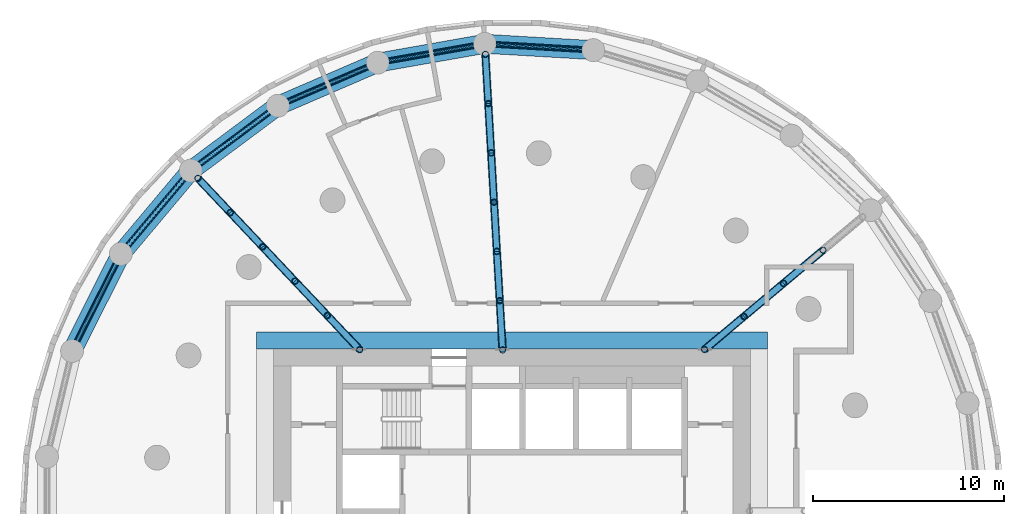
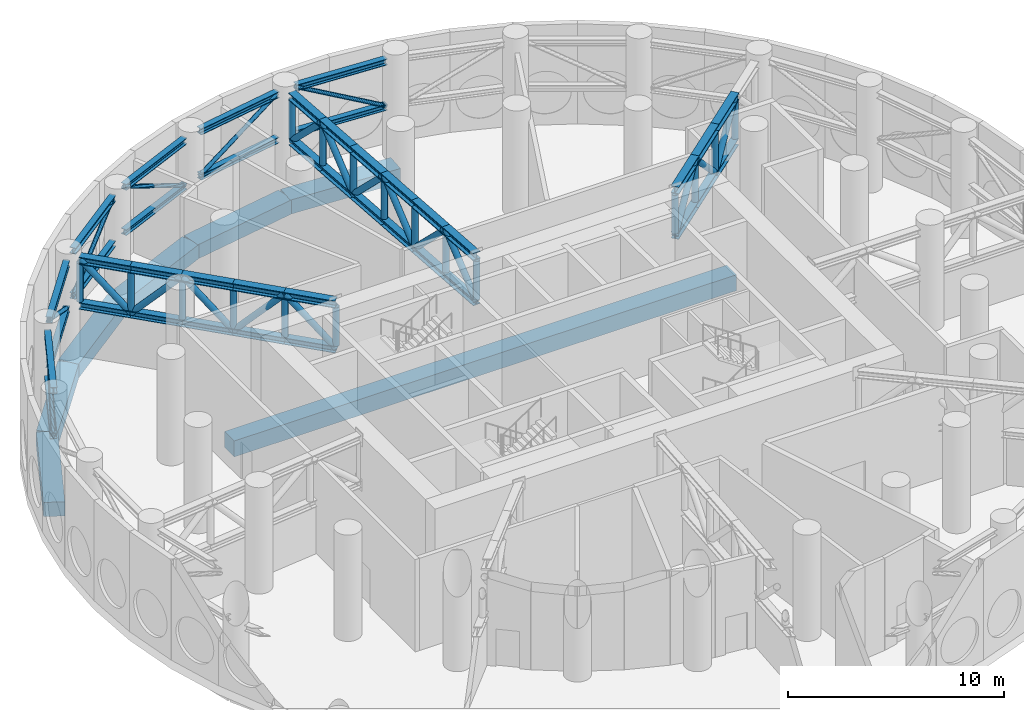
# One storey, part 5 of 15: 77 members, 7 beams.
"""IFC4 building model written with IfcOpenShell, lengths in metres."""

from ifc_helpers import new_model, si_unit, direction, frame, origin, origin_2d, place, context, subcontext, project, spatial, rectangle, hollow_circle, i_section, extrude, material, material_profile, profile_set, type_object, element, save


model = new_model("IFC4")

# Units and contexts
model_context = context("Model", 3, precision=1e-05, world=origin(), true_north=direction((0.0, 1.0)))
body_context = subcontext(model_context, "Body", "Model", "MODEL_VIEW")
ifc_project = project(units=[si_unit("LENGTHUNIT", "METRE"), si_unit("AREAUNIT", "SQUARE_METRE"), si_unit("VOLUMEUNIT", "CUBIC_METRE"), si_unit("PLANEANGLEUNIT", "RADIAN"), si_unit("MASSUNIT", "GRAM", prefix="KILO")], contexts=[model_context])

# Site, building, storey
site_placement = place(None, origin())
site = spatial("IfcSite", under=ifc_project, at=site_placement, CompositionType="ELEMENT")
building_placement = place(site_placement, origin())
building = spatial("IfcBuilding", under=site, at=building_placement, Name="Tracery Tower", CompositionType="ELEMENT")
storey_placement = place(building_placement, frame((0.0, 0.0, 225.0)))
storey = spatial("IfcBuildingStorey", under=building, at=storey_placement, Name="L58 Plant", CompositionType="ELEMENT", Elevation=225.0)

# Members
ifc_material_1 = material(Name="Steel S355", Category="steel")
ifc_material_profile_1 = material_profile(ifc_material_1, i_section(OverallWidth=0.30908203125, OverallDepth=0.320556640625, WebThickness=0.013916015625, FlangeThickness=0.021728515625, FilletRadius=0.01513671875, at=origin_2d()), Name="UKC 305x305x137")
ifc_profile_set_1 = profile_set([ifc_material_profile_1], Name="Steel S355")
member_type_1 = type_object("IfcMemberType", Name="Belt truss bottom chord UKC 305x305x137", PredefinedType="CHORD", material=ifc_profile_set_1)
member_1_placement = place(storey_placement, frame((3.763427734375, 24.203857421875, 2.88720703125), z_axis=(-0.998308775059, 0.058134238098, 0.0), x_axis=(-0.058134238098, -0.998308775059, 0.0)))
element("IfcMember", 1, at=member_1_placement, inside=storey, type_object=member_type_1, Name="Belt truss bottom chord 7", PredefinedType="CHORD", context=body_context, shape_type="SweptSolid", body=[
    extrude(i_section(OverallWidth=0.30908203125, OverallDepth=0.320556640625, WebThickness=0.013916015625, FlangeThickness=0.021728515625, FilletRadius=0.01513671875, at=origin_2d()), origin(), (0.0, 0.0, 1.0), 4.699462890625),
])
for number, where, z_axis, x_axis, name in (
    (2, (-1.919677734375, 24.41943359375, 2.88720703125), (-0.984806037579, -0.173657906089, 0.0), (0.173657906089, -0.984806037579, 0.0), "Belt truss bottom chord 8"),
    (3, (-7.49951171875, 23.318359375, 2.88720703125), (-0.918201951014, -0.396112581413, 0.0), (0.396112581413, -0.918201951014, 0.0), "Belt truss bottom chord 9"),
    (4, (-12.6748046875, 20.960205078125, 2.88720703125), (-0.802133110597, -0.597145269498, 0.0), (0.597145269498, -0.802133110597, 0.0), "Belt truss bottom chord 10"),
    (5, (-17.1669921875, 17.472412109375, 2.88720703125), (-0.64280702316, -0.766028152862, 0.0), (0.766028152862, -0.64280702316, 0.0), "Belt truss bottom chord 11"),
):
    element("IfcMember", number, at=place(storey_placement, frame(where, z_axis=z_axis, x_axis=x_axis)), inside=storey, type_object=member_type_1, Name=name, PredefinedType="CHORD", context=body_context, shape_type="SweptSolid", body=[
        extrude(i_section(OverallWidth=0.30908203125, OverallDepth=0.320556640625, WebThickness=0.013916015625, FlangeThickness=0.021728515625, FilletRadius=0.01513671875, at=origin_2d()), origin(), (0.0, 0.0, 1.0), 4.69970703125),
    ])
member_2_placement = place(storey_placement, frame((-20.733642578125, 13.04248046875, 2.88720703125), z_axis=(-0.448812814587, -0.893625792747, 0.0), x_axis=(0.893625792747, -0.448812814587, 0.0)))
element("IfcMember", 6, at=member_2_placement, inside=storey, type_object=member_type_1, Name="Belt truss bottom chord 12", PredefinedType="CHORD", context=body_context, shape_type="SweptSolid", body=[
    extrude(i_section(OverallWidth=0.30908203125, OverallDepth=0.320556640625, WebThickness=0.013916015625, FlangeThickness=0.021728515625, FilletRadius=0.01513671875, at=origin_2d()), origin(), (0.0, 0.0, 1.0), 4.699951171875),
])
ifc_material_2 = material(Name="Steel S355", Category="steel")
ifc_material_profile_2 = material_profile(ifc_material_2, hollow_circle(Radius=0.109619140625, WallThickness=0.010009765625, at=origin_2d()), Name="CHS 219.1x10")
ifc_profile_set_2 = profile_set([ifc_material_profile_2], Name="Steel S355")
member_type_2 = type_object("IfcMemberType", Name="Belt truss diagonal CHS 219.1x10", PredefinedType="BRACE", material=ifc_profile_set_2)
member_3_placement = place(storey_placement, frame((3.763427734375, 24.203857421875, 2.88720703125), z_axis=(-0.876701936053, 0.05105274076, 0.478317188675), x_axis=(-0.058134238098, -0.998308775059, 0.0)))
element("IfcMember", 7, at=member_3_placement, inside=storey, type_object=member_type_2, Name="Belt truss diagonal 7", PredefinedType="BRACE", context=body_context, shape_type="SweptSolid", body=[
    extrude(hollow_circle(Radius=0.109619140625, WallThickness=0.010009765625, at=origin_2d()), origin(), (0.0, 0.0, 1.0), 5.351318359375),
])
member_4_placement = place(storey_placement, frame((-1.919677734375, 24.41943359375, 5.44677734375), z_axis=(-0.864863920826, -0.152507653092, -0.478280058336), x_axis=(0.173657906089, -0.984806037579, 0.0)))
element("IfcMember", 8, at=member_4_placement, inside=storey, type_object=member_type_2, Name="Belt truss diagonal 8", PredefinedType="BRACE", context=body_context, shape_type="SweptSolid", body=[
    extrude(hollow_circle(Radius=0.109619140625, WallThickness=0.010009765625, at=origin_2d()), origin(), (0.0, 0.0, 1.0), 5.3515625),
])
member_5_placement = place(storey_placement, frame((-7.49951171875, 23.318359375, 2.88720703125), z_axis=(-0.806362969112, -0.347865212983, 0.478297559727), x_axis=(0.396112581413, -0.918201951014, 0.0)))
element("IfcMember", 9, at=member_5_placement, inside=storey, type_object=member_type_2, Name="Belt truss diagonal 9", PredefinedType="BRACE", context=body_context, shape_type="SweptSolid", body=[
    extrude(hollow_circle(Radius=0.109619140625, WallThickness=0.010009765625, at=origin_2d()), origin(), (0.0, 0.0, 1.0), 5.351318359375),
])
for number, where, z_axis, x_axis, name in (
    (10, (-12.6748046875, 20.960205078125, 5.44677734375), (-0.704434446741, -0.524413831053, -0.478290961701), (0.597145269498, -0.802133110597, 0.0), "Belt truss diagonal 10"),
    (11, (-17.1669921875, 17.472412109375, 2.88720703125), (-0.564514202911, -0.672727205118, 0.478290520715), (0.766028152862, -0.64280702316, 0.0), "Belt truss diagonal 11"),
    (12, (-20.733642578125, 13.04248046875, 5.44677734375), (-0.394152108087, -0.784791517988, -0.478274386711), (0.893625792747, -0.448812814587, 0.0), "Belt truss diagonal 12"),
):
    element("IfcMember", number, at=place(storey_placement, frame(where, z_axis=z_axis, x_axis=x_axis)), inside=storey, type_object=member_type_2, Name=name, PredefinedType="BRACE", context=body_context, shape_type="SweptSolid", body=[
        extrude(hollow_circle(Radius=0.109619140625, WallThickness=0.010009765625, at=origin_2d()), origin(), (0.0, 0.0, 1.0), 5.3515625),
    ])
ifc_material_3 = material(Name="Steel S355", Category="steel")
ifc_material_profile_3 = material_profile(ifc_material_3, i_section(OverallWidth=0.314453125, OverallDepth=0.33984375, WebThickness=0.01904296875, FlangeThickness=0.031494140625, FilletRadius=0.01513671875, at=origin_2d()), Name="UKC 305x305x198")
ifc_profile_set_3 = profile_set([ifc_material_profile_3], Name="Steel S355")
member_type_3 = type_object("IfcMemberType", Name="Belt truss top chord UKC 305x305x198", PredefinedType="CHORD", material=ifc_profile_set_3)
member_6_placement = place(storey_placement, frame((3.763427734375, 24.203857421875, 5.44677734375), z_axis=(-0.998308775059, 0.058134238098, 0.0), x_axis=(-0.058134238098, -0.998308775059, 0.0)))
element("IfcMember", 13, at=member_6_placement, inside=storey, type_object=member_type_3, Name="Belt truss top chord 7", PredefinedType="CHORD", context=body_context, shape_type="SweptSolid", body=[
    extrude(i_section(OverallWidth=0.314453125, OverallDepth=0.33984375, WebThickness=0.01904296875, FlangeThickness=0.031494140625, FilletRadius=0.01513671875, at=origin_2d()), origin(), (0.0, 0.0, 1.0), 4.699462890625),
])
for number, where, z_axis, x_axis, name in (
    (14, (-1.919677734375, 24.41943359375, 5.44677734375), (-0.984806037579, -0.173657906089, 0.0), (0.173657906089, -0.984806037579, 0.0), "Belt truss top chord 8"),
    (15, (-7.49951171875, 23.318359375, 5.44677734375), (-0.918201951014, -0.396112581413, 0.0), (0.396112581413, -0.918201951014, 0.0), "Belt truss top chord 9"),
    (16, (-12.6748046875, 20.960205078125, 5.44677734375), (-0.802133110597, -0.597145269498, 0.0), (0.597145269498, -0.802133110597, 0.0), "Belt truss top chord 10"),
    (17, (-17.1669921875, 17.472412109375, 5.44677734375), (-0.64280702316, -0.766028152862, 0.0), (0.766028152862, -0.64280702316, 0.0), "Belt truss top chord 11"),
):
    element("IfcMember", number, at=place(storey_placement, frame(where, z_axis=z_axis, x_axis=x_axis)), inside=storey, type_object=member_type_3, Name=name, PredefinedType="CHORD", context=body_context, shape_type="SweptSolid", body=[
        extrude(i_section(OverallWidth=0.314453125, OverallDepth=0.33984375, WebThickness=0.01904296875, FlangeThickness=0.031494140625, FilletRadius=0.01513671875, at=origin_2d()), origin(), (0.0, 0.0, 1.0), 4.69970703125),
    ])
member_7_placement = place(storey_placement, frame((-20.733642578125, 13.04248046875, 5.44677734375), z_axis=(-0.448812814587, -0.893625792747, 0.0), x_axis=(0.893625792747, -0.448812814587, 0.0)))
element("IfcMember", 18, at=member_7_placement, inside=storey, type_object=member_type_3, Name="Belt truss top chord 12", PredefinedType="CHORD", context=body_context, shape_type="SweptSolid", body=[
    extrude(i_section(OverallWidth=0.314453125, OverallDepth=0.33984375, WebThickness=0.01904296875, FlangeThickness=0.031494140625, FilletRadius=0.01513671875, at=origin_2d()), origin(), (0.0, 0.0, 1.0), 4.699951171875),
])

# Beam
ifc_material_4 = material(Name="Concrete C50/60", Category="concrete")
ifc_material_profile_4 = material_profile(ifc_material_4, rectangle(XDim=0.89990234375, YDim=0.89990234375, at=origin_2d()), Name="RC 900x900")
ifc_profile_set_4 = profile_set([ifc_material_profile_4], Name="Concrete C50/60")
beam_type_1 = type_object("IfcBeamType", Name="Core slab edge beam 900x900", PredefinedType="BEAM", material=ifc_profile_set_4)
beam_1_placement = place(storey_placement, frame((-13.39990234375, 8.949951171875, -0.949951171875), z_axis=(1.0, 0.0, 0.0), x_axis=(0.0, 1.0, 0.0)))
element("IfcBeam", 19, at=beam_1_placement, inside=storey, type_object=beam_type_1, Name="Core hole edge beam N at L58 Plant", PredefinedType="BEAM", context=body_context, shape_type="SweptSolid", body=[
    extrude(rectangle(XDim=0.89990234375, YDim=0.89990234375, at=origin_2d()), origin(), (0.0, 0.0, 1.0), 26.7998046875),
])

# Members
ifc_material_5 = material(Name="Steel S355", Category="steel")
ifc_material_profile_5 = material_profile(ifc_material_5, i_section(OverallWidth=0.374755859375, OverallDepth=0.37451171875, WebThickness=0.0166015625, FlangeThickness=0.027099609375, FilletRadius=0.01513671875, at=origin_2d()), Name="UKC 356x368x202")
ifc_profile_set_5 = profile_set([ifc_material_profile_5], Name="Steel S355")
member_type_4 = type_object("IfcMemberType", Name="Outrigger bottom chord UKC 356x368x202", PredefinedType="CHORD", material=ifc_profile_set_5)
for number, where, z_axis, x_axis, name in (
    (20, (10.091552734375, 8.468017578125, 2.88720703125), (0.766079759177, 0.6427455193, 0.0), (-0.6427455193, 0.766079759177, 0.0), "Outrigger 2 bottom chord 1"),
    (21, (12.16455078125, 10.207275390625, 2.88720703125), (0.765998054095, 0.642842889921, 0.0), (-0.642842889921, 0.765998054095, 0.0), "Outrigger 2 bottom chord 2"),
    (22, (14.2373046875, 11.94677734375, 2.88720703125), (0.766079759177, 0.6427455193, 0.0), (-0.6427455193, 0.766079759177, 0.0), "Outrigger 2 bottom chord 3"),
):
    element("IfcMember", number, at=place(storey_placement, frame(where, z_axis=z_axis, x_axis=x_axis)), inside=storey, type_object=member_type_4, Name=name, PredefinedType="CHORD", context=body_context, shape_type="SweptSolid", body=[
        extrude(i_section(OverallWidth=0.374755859375, OverallDepth=0.37451171875, WebThickness=0.0166015625, FlangeThickness=0.027099609375, FilletRadius=0.01513671875, at=origin_2d()), origin(), (0.0, 0.0, 1.0), 2.7060546875),
    ])
for number, where, z_axis, x_axis, name in (
    (23, (-0.4921875, 8.4501953125, 2.88720703125), (-0.058091793635, 0.998311245811, 0.0), (-0.998311245811, -0.058091793635, 0.0), "Outrigger 3 bottom chord 1"),
    (24, (-0.642578125, 11.03466796875, 2.88720703125), (-0.058185779475, 0.99830577233, 0.0), (-0.99830577233, -0.058185779475, 0.0), "Outrigger 3 bottom chord 2"),
    (25, (-0.793212890625, 13.619140625, 2.88720703125), (-0.058185779475, 0.99830577233, 0.0), (-0.99830577233, -0.058185779475, 0.0), "Outrigger 3 bottom chord 3"),
    (26, (-0.94384765625, 16.20361328125, 2.88720703125), (-0.058091793635, 0.998311245811, 0.0), (-0.998311245811, -0.058091793635, 0.0), "Outrigger 3 bottom chord 4"),
    (27, (-1.09423828125, 18.7880859375, 2.88720703125), (-0.058185779475, 0.99830577233, 0.0), (-0.99830577233, -0.058185779475, 0.0), "Outrigger 3 bottom chord 5"),
    (28, (-1.244873046875, 21.37255859375, 2.88720703125), (-0.058091793635, 0.998311245811, 0.0), (-0.998311245811, -0.058091793635, 0.0), "Outrigger 3 bottom chord 6"),
):
    element("IfcMember", number, at=place(storey_placement, frame(where, z_axis=z_axis, x_axis=x_axis)), inside=storey, type_object=member_type_4, Name=name, PredefinedType="CHORD", context=body_context, shape_type="SweptSolid", body=[
        extrude(i_section(OverallWidth=0.374755859375, OverallDepth=0.37451171875, WebThickness=0.0166015625, FlangeThickness=0.027099609375, FilletRadius=0.01513671875, at=origin_2d()), origin(), (0.0, 0.0, 1.0), 2.5888671875),
    ])
for number, where, z_axis, x_axis, name in (
    (29, (-7.985107421875, 8.463623046875, 2.88720703125), (-0.686217469396, 0.727396442592, 0.0), (-0.727396442592, -0.686217469396, 0.0), "Outrigger 4 bottom chord 1"),
    (30, (-9.681640625, 10.261962890625, 2.88720703125), (-0.686269713545, 0.727347152514, 0.0), (-0.727347152514, -0.686269713545, 0.0), "Outrigger 4 bottom chord 2"),
    (31, (-11.37841796875, 12.060302734375, 2.88720703125), (-0.686217469396, 0.727396442592, 0.0), (-0.727396442592, -0.686217469396, 0.0), "Outrigger 4 bottom chord 3"),
    (32, (-13.074951171875, 13.858642578125, 2.88720703125), (-0.686217469396, 0.727396442592, 0.0), (-0.727396442592, -0.686217469396, 0.0), "Outrigger 4 bottom chord 4"),
):
    element("IfcMember", number, at=place(storey_placement, frame(where, z_axis=z_axis, x_axis=x_axis)), inside=storey, type_object=member_type_4, Name=name, PredefinedType="CHORD", context=body_context, shape_type="SweptSolid", body=[
        extrude(i_section(OverallWidth=0.374755859375, OverallDepth=0.37451171875, WebThickness=0.0166015625, FlangeThickness=0.027099609375, FilletRadius=0.01513671875, at=origin_2d()), origin(), (0.0, 0.0, 1.0), 2.472412109375),
    ])
member_8_placement = place(storey_placement, frame((-14.771484375, 15.656982421875, 2.88720703125), z_axis=(-0.686319004123, 0.727300642499, 0.0), x_axis=(-0.727300642499, -0.686319004123, 0.0)))
element("IfcMember", 33, at=member_8_placement, inside=storey, type_object=member_type_4, Name="Outrigger 4 bottom chord 5", PredefinedType="CHORD", context=body_context, shape_type="SweptSolid", body=[
    extrude(i_section(OverallWidth=0.374755859375, OverallDepth=0.37451171875, WebThickness=0.0166015625, FlangeThickness=0.027099609375, FilletRadius=0.01513671875, at=origin_2d()), origin(), (0.0, 0.0, 1.0), 2.47216796875),
])
ifc_material_6 = material(Name="Steel S355", Category="steel")
ifc_material_profile_6 = material_profile(ifc_material_6, hollow_circle(Radius=0.161865234375, WallThickness=0.01611328125, at=origin_2d()), Name="CHS 323.9x16")
ifc_profile_set_6 = profile_set([ifc_material_profile_6], Name="Steel S355")
member_type_5 = type_object("IfcMemberType", Name="Outrigger diagonal CHS 323.9x16", PredefinedType="BRACE", material=ifc_profile_set_6)
member_9_placement = place(storey_placement, frame((10.091552734375, 8.468017578125, 2.88720703125), z_axis=(0.556547371036, 0.466946587123, 0.687179677063), x_axis=(-0.6427455193, 0.766079759177, 0.0)))
element("IfcMember", 34, at=member_9_placement, inside=storey, type_object=member_type_5, Name="Outrigger 2 diagonal 1", PredefinedType="BRACE", context=body_context, shape_type="SweptSolid", body=[
    extrude(hollow_circle(Radius=0.161865234375, WallThickness=0.01611328125, at=origin_2d()), origin(), (0.0, 0.0, 1.0), 3.724853515625),
])
member_10_placement = place(storey_placement, frame((12.16455078125, 10.207275390625, 5.44677734375), z_axis=(0.556485091292, 0.467014873434, -0.687183709907), x_axis=(-0.642842889921, 0.765998054095, 0.0)))
element("IfcMember", 35, at=member_10_placement, inside=storey, type_object=member_type_5, Name="Outrigger 2 diagonal 2", PredefinedType="BRACE", context=body_context, shape_type="SweptSolid", body=[
    extrude(hollow_circle(Radius=0.161865234375, WallThickness=0.01611328125, at=origin_2d()), origin(), (0.0, 0.0, 1.0), 3.724609375),
])
member_11_placement = place(storey_placement, frame((14.2373046875, 11.94677734375, 2.88720703125), z_axis=(0.556547371036, 0.466946587123, 0.687179677063), x_axis=(-0.6427455193, 0.766079759177, 0.0)))
element("IfcMember", 36, at=member_11_placement, inside=storey, type_object=member_type_5, Name="Outrigger 2 diagonal 3", PredefinedType="BRACE", context=body_context, shape_type="SweptSolid", body=[
    extrude(hollow_circle(Radius=0.161865234375, WallThickness=0.01611328125, at=origin_2d()), origin(), (0.0, 0.0, 1.0), 3.724853515625),
])
for number, where, z_axis, x_axis, name in (
    (37, (-0.4921875, 8.4501953125, 2.88720703125), (-0.04131000083, 0.709915046732, 0.703074754386), (-0.998311245811, -0.058091793635, 0.0), "Outrigger 3 diagonal 1"),
    (38, (-0.642578125, 11.03466796875, 5.44677734375), (-0.041376947799, 0.709913078453, -0.703072805073), (-0.99830577233, -0.058185779475, 0.0), "Outrigger 3 diagonal 2"),
    (39, (-0.793212890625, 13.619140625, 2.88720703125), (-0.041376947799, 0.709913078453, 0.703072805073), (-0.99830577233, -0.058185779475, 0.0), "Outrigger 3 diagonal 3"),
    (40, (-0.94384765625, 16.20361328125, 5.44677734375), (-0.04131000083, 0.709915046732, -0.703074754386), (-0.998311245811, -0.058091793635, 0.0), "Outrigger 3 diagonal 4"),
    (41, (-1.09423828125, 18.7880859375, 2.88720703125), (-0.041376947799, 0.709913078453, 0.703072805073), (-0.99830577233, -0.058185779475, 0.0), "Outrigger 3 diagonal 5"),
    (42, (-1.244873046875, 21.37255859375, 5.44677734375), (-0.04131000083, 0.709915046732, -0.703074754386), (-0.998311245811, -0.058091793635, 0.0), "Outrigger 3 diagonal 6"),
):
    element("IfcMember", number, at=place(storey_placement, frame(where, z_axis=z_axis, x_axis=x_axis)), inside=storey, type_object=member_type_5, Name=name, PredefinedType="BRACE", context=body_context, shape_type="SweptSolid", body=[
        extrude(hollow_circle(Radius=0.161865234375, WallThickness=0.01611328125, at=origin_2d()), origin(), (0.0, 0.0, 1.0), 3.640625),
    ])
member_12_placement = place(storey_placement, frame((-7.985107421875, 8.463623046875, 2.88720703125), z_axis=(-0.476741427092, 0.505350029063, 0.719262789125), x_axis=(-0.727396442592, -0.686217469396, 0.0)))
element("IfcMember", 43, at=member_12_placement, inside=storey, type_object=member_type_5, Name="Outrigger 4 diagonal 1", PredefinedType="BRACE", context=body_context, shape_type="SweptSolid", body=[
    extrude(hollow_circle(Radius=0.161865234375, WallThickness=0.01611328125, at=origin_2d()), origin(), (0.0, 0.0, 1.0), 3.55859375),
])
member_13_placement = place(storey_placement, frame((-9.681640625, 10.261962890625, 5.44677734375), z_axis=(-0.47679443737, 0.505333500096, -0.719239263509), x_axis=(-0.727347152514, -0.686269713545, 0.0)))
element("IfcMember", 44, at=member_13_placement, inside=storey, type_object=member_type_5, Name="Outrigger 4 diagonal 2", PredefinedType="BRACE", context=body_context, shape_type="SweptSolid", body=[
    extrude(hollow_circle(Radius=0.161865234375, WallThickness=0.01611328125, at=origin_2d()), origin(), (0.0, 0.0, 1.0), 3.558837890625),
])
for number, where, z_axis, x_axis, name in (
    (45, (-11.37841796875, 12.060302734375, 2.88720703125), (-0.476741427092, 0.505350029063, 0.719262789125), (-0.727396442592, -0.686217469396, 0.0), "Outrigger 4 diagonal 3"),
    (46, (-13.074951171875, 13.858642578125, 5.44677734375), (-0.476741427092, 0.505350029063, -0.719262789125), (-0.727396442592, -0.686217469396, 0.0), "Outrigger 4 diagonal 4"),
    (47, (-14.771484375, 15.656982421875, 2.88720703125), (-0.476810966453, 0.505282412651, 0.719264197452), (-0.727300642499, -0.686319004123, 0.0), "Outrigger 4 diagonal 5"),
):
    element("IfcMember", number, at=place(storey_placement, frame(where, z_axis=z_axis, x_axis=x_axis)), inside=storey, type_object=member_type_5, Name=name, PredefinedType="BRACE", context=body_context, shape_type="SweptSolid", body=[
        extrude(hollow_circle(Radius=0.161865234375, WallThickness=0.01611328125, at=origin_2d()), origin(), (0.0, 0.0, 1.0), 3.55859375),
    ])
ifc_material_7 = material(Name="Steel S355", Category="steel")
ifc_material_profile_7 = material_profile(ifc_material_7, hollow_circle(Radius=0.161865234375, WallThickness=0.01611328125, at=origin_2d()), Name="CHS 323.9x16")
ifc_profile_set_7 = profile_set([ifc_material_profile_7], Name="Steel S355")
member_type_6 = type_object("IfcMemberType", Name="Outrigger post CHS 323.9x16", PredefinedType="POST", material=ifc_profile_set_7)
for number, where, z_axis, x_axis, name in (
    (48, (10.091552734375, 8.468017578125, 3.07470703125), (0.0, 0.0, 1.0), (1.0, 0.0, 0.0), "Outrigger 2 post 1"),
    (49, (12.16455078125, 10.207275390625, 3.07470703125), (0.0, 0.0, 1.0), (1.0, 0.0, 0.0), "Outrigger 2 post 2"),
    (50, (14.2373046875, 11.94677734375, 3.07470703125), (0.0, 0.0, 1.0), (1.0, 0.0, 0.0), "Outrigger 2 post 3"),
    (51, (16.310302734375, 13.68603515625, 3.07470703125), (0.0, 0.0, 1.0), (1.0, 0.0, 0.0), "Outrigger 2 post 4"),
    (52, (-0.4921875, 8.4501953125, 3.07470703125), (0.0, 0.0, 1.0), (1.0, 0.0, 0.0), "Outrigger 3 post 1"),
    (53, (-0.642578125, 11.03466796875, 3.07470703125), (0.0, 0.0, 1.0), (1.0, 0.0, 0.0), "Outrigger 3 post 2"),
    (54, (-0.793212890625, 13.619140625, 3.07470703125), (0.0, 0.0, 1.0), (1.0, 0.0, 0.0), "Outrigger 3 post 3"),
    (55, (-0.94384765625, 16.20361328125, 3.07470703125), (0.0, 0.0, 1.0), (1.0, 0.0, 0.0), "Outrigger 3 post 4"),
    (56, (-1.09423828125, 18.7880859375, 3.07470703125), (0.0, 0.0, 1.0), (1.0, 0.0, 0.0), "Outrigger 3 post 5"),
    (57, (-1.244873046875, 21.37255859375, 3.07470703125), (0.0, 0.0, 1.0), (1.0, 0.0, 0.0), "Outrigger 3 post 6"),
    (58, (-1.395263671875, 23.95703125, 3.07470703125), (0.0, 0.0, 1.0), (1.0, 0.0, 0.0), "Outrigger 3 post 7"),
    (59, (-7.985107421875, 8.463623046875, 3.07470703125), (0.0, 0.0, 1.0), (1.0, 0.0, 0.0), "Outrigger 4 post 1"),
    (60, (-9.681640625, 10.261962890625, 3.07470703125), (0.0, 0.0, 1.0), (1.0, 0.0, 0.0), "Outrigger 4 post 2"),
    (61, (-11.37841796875, 12.060302734375, 3.07470703125), (0.0, 0.0, 1.0), (1.0, 0.0, 0.0), "Outrigger 4 post 3"),
    (62, (-13.074951171875, 13.858642578125, 3.07470703125), (0.0, 0.0, 1.0), (1.0, 0.0, 0.0), "Outrigger 4 post 4"),
    (63, (-14.771484375, 15.656982421875, 3.07470703125), (0.0, 0.0, 1.0), (1.0, 0.0, 0.0), "Outrigger 4 post 5"),
    (64, (-16.46826171875, 17.455078125, 3.07470703125), (0.0, 0.0, 1.0), (1.0, 0.0, 0.0), "Outrigger 4 post 6"),
):
    element("IfcMember", number, at=place(storey_placement, frame(where, z_axis=z_axis, x_axis=x_axis)), inside=storey, type_object=member_type_6, Name=name, PredefinedType="POST", context=body_context, shape_type="SweptSolid", body=[
        extrude(hollow_circle(Radius=0.161865234375, WallThickness=0.01611328125, at=origin_2d()), origin(), (0.0, 0.0, 1.0), 2.1689453125),
    ])
ifc_material_8 = material(Name="Steel S355", Category="steel")
ifc_material_profile_8 = material_profile(ifc_material_8, i_section(OverallWidth=0.403076171875, OverallDepth=0.406494140625, WebThickness=0.026611328125, FlangeThickness=0.04296875, FilletRadius=0.01513671875, at=origin_2d()), Name="UKC 356x406x340")
ifc_profile_set_8 = profile_set([ifc_material_profile_8], Name="Steel S355")
member_type_7 = type_object("IfcMemberType", Name="Outrigger top chord UKC 356x406x340", PredefinedType="CHORD", material=ifc_profile_set_8)
for number, where, z_axis, x_axis, name in (
    (65, (10.091552734375, 8.468017578125, 5.44677734375), (0.766079759177, 0.6427455193, 0.0), (-0.6427455193, 0.766079759177, 0.0), "Outrigger 2 top chord 1"),
    (66, (12.16455078125, 10.207275390625, 5.44677734375), (0.765998054095, 0.642842889921, 0.0), (-0.642842889921, 0.765998054095, 0.0), "Outrigger 2 top chord 2"),
    (67, (14.2373046875, 11.94677734375, 5.44677734375), (0.766079759177, 0.6427455193, 0.0), (-0.6427455193, 0.766079759177, 0.0), "Outrigger 2 top chord 3"),
):
    element("IfcMember", number, at=place(storey_placement, frame(where, z_axis=z_axis, x_axis=x_axis)), inside=storey, type_object=member_type_7, Name=name, PredefinedType="CHORD", context=body_context, shape_type="SweptSolid", body=[
        extrude(i_section(OverallWidth=0.403076171875, OverallDepth=0.406494140625, WebThickness=0.026611328125, FlangeThickness=0.04296875, FilletRadius=0.01513671875, at=origin_2d()), origin(), (0.0, 0.0, 1.0), 2.7060546875),
    ])
for number, where, z_axis, x_axis, name in (
    (68, (-0.4921875, 8.4501953125, 5.44677734375), (-0.058091793635, 0.998311245811, 0.0), (-0.998311245811, -0.058091793635, 0.0), "Outrigger 3 top chord 1"),
    (69, (-0.642578125, 11.03466796875, 5.44677734375), (-0.058185779475, 0.99830577233, 0.0), (-0.99830577233, -0.058185779475, 0.0), "Outrigger 3 top chord 2"),
    (70, (-0.793212890625, 13.619140625, 5.44677734375), (-0.058185779475, 0.99830577233, 0.0), (-0.99830577233, -0.058185779475, 0.0), "Outrigger 3 top chord 3"),
    (71, (-0.94384765625, 16.20361328125, 5.44677734375), (-0.058091793635, 0.998311245811, 0.0), (-0.998311245811, -0.058091793635, 0.0), "Outrigger 3 top chord 4"),
    (72, (-1.09423828125, 18.7880859375, 5.44677734375), (-0.058185779475, 0.99830577233, 0.0), (-0.99830577233, -0.058185779475, 0.0), "Outrigger 3 top chord 5"),
    (73, (-1.244873046875, 21.37255859375, 5.44677734375), (-0.058091793635, 0.998311245811, 0.0), (-0.998311245811, -0.058091793635, 0.0), "Outrigger 3 top chord 6"),
):
    element("IfcMember", number, at=place(storey_placement, frame(where, z_axis=z_axis, x_axis=x_axis)), inside=storey, type_object=member_type_7, Name=name, PredefinedType="CHORD", context=body_context, shape_type="SweptSolid", body=[
        extrude(i_section(OverallWidth=0.403076171875, OverallDepth=0.406494140625, WebThickness=0.026611328125, FlangeThickness=0.04296875, FilletRadius=0.01513671875, at=origin_2d()), origin(), (0.0, 0.0, 1.0), 2.5888671875),
    ])
for number, where, z_axis, x_axis, name in (
    (74, (-7.985107421875, 8.463623046875, 5.44677734375), (-0.686217469396, 0.727396442592, 0.0), (-0.727396442592, -0.686217469396, 0.0), "Outrigger 4 top chord 1"),
    (75, (-9.681640625, 10.261962890625, 5.44677734375), (-0.686269713545, 0.727347152514, 0.0), (-0.727347152514, -0.686269713545, 0.0), "Outrigger 4 top chord 2"),
    (76, (-11.37841796875, 12.060302734375, 5.44677734375), (-0.686217469396, 0.727396442592, 0.0), (-0.727396442592, -0.686217469396, 0.0), "Outrigger 4 top chord 3"),
    (77, (-13.074951171875, 13.858642578125, 5.44677734375), (-0.686217469396, 0.727396442592, 0.0), (-0.727396442592, -0.686217469396, 0.0), "Outrigger 4 top chord 4"),
):
    element("IfcMember", number, at=place(storey_placement, frame(where, z_axis=z_axis, x_axis=x_axis)), inside=storey, type_object=member_type_7, Name=name, PredefinedType="CHORD", context=body_context, shape_type="SweptSolid", body=[
        extrude(i_section(OverallWidth=0.403076171875, OverallDepth=0.406494140625, WebThickness=0.026611328125, FlangeThickness=0.04296875, FilletRadius=0.01513671875, at=origin_2d()), origin(), (0.0, 0.0, 1.0), 2.472412109375),
    ])
member_14_placement = place(storey_placement, frame((-14.771484375, 15.656982421875, 5.44677734375), z_axis=(-0.686319004123, 0.727300642499, 0.0), x_axis=(-0.727300642499, -0.686319004123, 0.0)))
element("IfcMember", 78, at=member_14_placement, inside=storey, type_object=member_type_7, Name="Outrigger 4 top chord 5", PredefinedType="CHORD", context=body_context, shape_type="SweptSolid", body=[
    extrude(i_section(OverallWidth=0.403076171875, OverallDepth=0.406494140625, WebThickness=0.026611328125, FlangeThickness=0.04296875, FilletRadius=0.01513671875, at=origin_2d()), origin(), (0.0, 0.0, 1.0), 2.47216796875),
])

# Beams
ifc_material_9 = material(Name="Concrete C50/60", Category="concrete")
ifc_material_profile_9 = material_profile(ifc_material_9, rectangle(XDim=1.0, YDim=0.800048828125, at=origin_2d()), Name="RC 1000x800")
ifc_profile_set_9 = profile_set([ifc_material_profile_9], Name="Concrete C50/60")
beam_type_2 = type_object("IfcBeamType", Name="Plant level band beam 1000x800", PredefinedType="BEAM", material=ifc_profile_set_9)
beam_2_placement = place(storey_placement, frame((4.2626953125, 24.1748046875, -0.89990234375), z_axis=(-0.99830920221, 0.058126902403, 0.0), x_axis=(-0.058126902403, -0.99830920221, 0.0)))
element("IfcBeam", 79, at=beam_2_placement, inside=storey, type_object=beam_type_2, Name="Perimeter beam 1.06 under L58 Plant", PredefinedType="BEAM", context=body_context, shape_type="SweptSolid", body=[
    extrude(rectangle(XDim=1.0, YDim=0.800048828125, at=origin_2d()), origin(), (0.0, 0.0, 1.0), 5.699462890625),
])
beam_3_placement = place(storey_placement, frame((-1.42724609375, 24.506103515625, -0.89990234375), z_axis=(-0.984807266719, -0.173650935552, 0.0), x_axis=(0.173650935552, -0.984807266719, 0.0)))
element("IfcBeam", 80, at=beam_3_placement, inside=storey, type_object=beam_type_2, Name="Perimeter beam 1.07 under L58 Plant", PredefinedType="BEAM", context=body_context, shape_type="SweptSolid", body=[
    extrude(rectangle(XDim=1.0, YDim=0.800048828125, at=origin_2d()), origin(), (0.0, 0.0, 1.0), 5.69970703125),
])
beam_4_placement = place(storey_placement, frame((-7.040283203125, 23.516357421875, -0.89990234375), z_axis=(-0.918209685525, -0.396094652083, 0.0), x_axis=(0.396094652083, -0.918209685525, 0.0)))
element("IfcBeam", 81, at=beam_4_placement, inside=storey, type_object=beam_type_2, Name="Perimeter beam 1.08 under L58 Plant", PredefinedType="BEAM", context=body_context, shape_type="SweptSolid", body=[
    extrude(rectangle(XDim=1.0, YDim=0.800048828125, at=origin_2d()), origin(), (0.0, 0.0, 1.0), 5.699462890625),
])
beam_5_placement = place(storey_placement, frame((-12.273681640625, 21.2587890625, -0.89990234375), z_axis=(-0.802138271299, -0.59713833717, 0.0), x_axis=(0.59713833717, -0.802138271299, 0.0)))
element("IfcBeam", 82, at=beam_5_placement, inside=storey, type_object=beam_type_2, Name="Perimeter beam 1.09 under L58 Plant", PredefinedType="BEAM", context=body_context, shape_type="SweptSolid", body=[
    extrude(rectangle(XDim=1.0, YDim=0.800048828125, at=origin_2d()), origin(), (0.0, 0.0, 1.0), 5.69970703125),
])
beam_6_placement = place(storey_placement, frame((-16.845703125, 17.855224609375, -0.89990234375), z_axis=(-0.642797194343, -0.766036400535, 0.0), x_axis=(0.766036400535, -0.642797194343, 0.0)))
element("IfcBeam", 83, at=beam_6_placement, inside=storey, type_object=beam_type_2, Name="Perimeter beam 1.10 under L58 Plant", PredefinedType="BEAM", context=body_context, shape_type="SweptSolid", body=[
    extrude(rectangle(XDim=1.0, YDim=0.800048828125, at=origin_2d()), origin(), (0.0, 0.0, 1.0), 5.699462890625),
])
beam_7_placement = place(storey_placement, frame((-20.50927734375, 13.4892578125, -0.89990234375), z_axis=(-0.448806280933, -0.893629074166, 0.0), x_axis=(0.893629074166, -0.448806280933, 0.0)))
element("IfcBeam", 84, at=beam_7_placement, inside=storey, type_object=beam_type_2, Name="Perimeter beam 1.11 under L58 Plant", PredefinedType="BEAM", context=body_context, shape_type="SweptSolid", body=[
    extrude(rectangle(XDim=1.0, YDim=0.800048828125, at=origin_2d()), origin(), (0.0, 0.0, 1.0), 5.69970703125),
])

save(model, "model.ifc")
